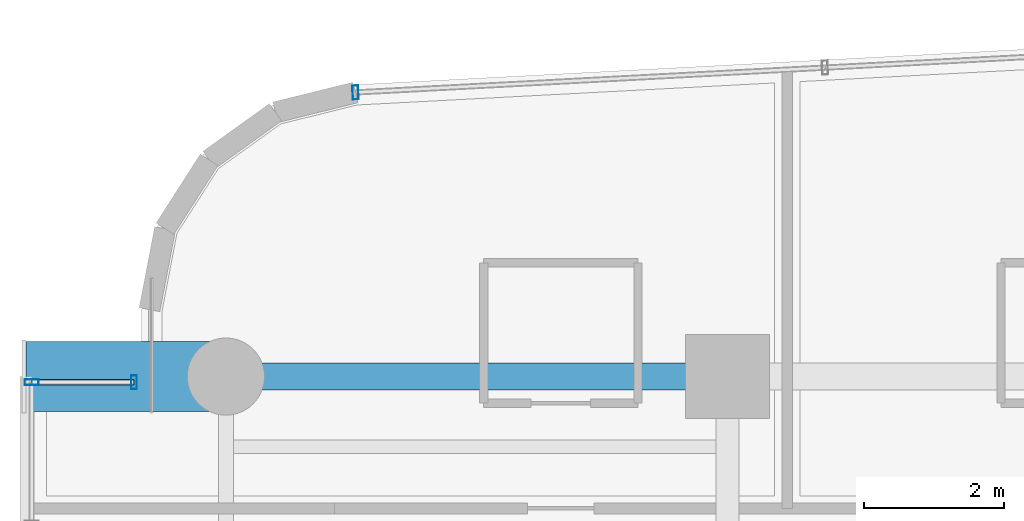
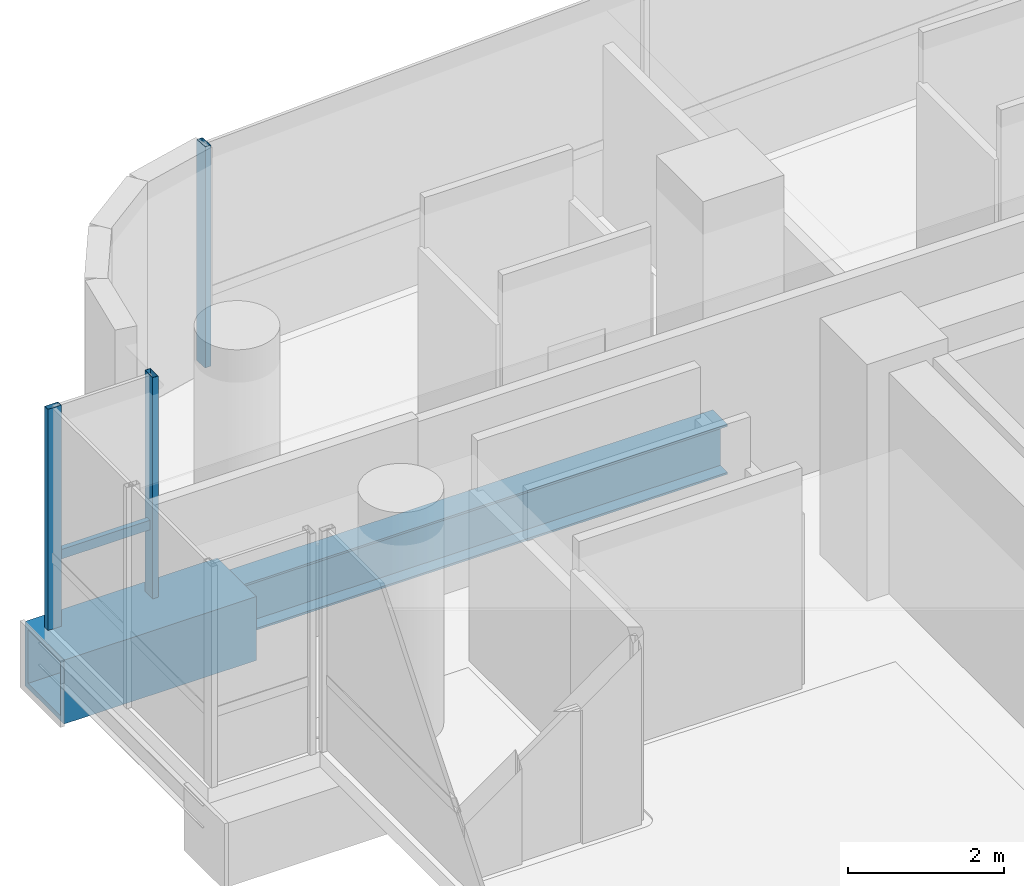
# One storey, part 18 of 33: 4 members, 2 beams, 3 elements without a shape of their own.
"""IFC4 building model written with IfcOpenShell, lengths in metres."""

from ifc_helpers import new_model, si_unit, direction, frame, origin, origin_2d, place, context, subcontext, project, spatial, hollow_rectangle, i_section, extrude, source, transform, mapped, material, material_profile, profile_set, type_object, element, aggregate, save


model = new_model("IFC4")

# Units and contexts
model_context = context("Model", 3, precision=1e-05, world=origin(), true_north=direction((0.0, 1.0)))
body_context = subcontext(model_context, "Body", "Model", "MODEL_VIEW")
ifc_project = project(units=[si_unit("LENGTHUNIT", "METRE"), si_unit("AREAUNIT", "SQUARE_METRE"), si_unit("VOLUMEUNIT", "CUBIC_METRE"), si_unit("PLANEANGLEUNIT", "RADIAN"), si_unit("MASSUNIT", "GRAM", prefix="KILO")], contexts=[model_context])

# Site, building, storey
site_placement = place(None, origin())
site = spatial("IfcSite", under=ifc_project, at=site_placement, CompositionType="ELEMENT")
building_placement = place(site_placement, origin())
building = spatial("IfcBuilding", under=site, at=building_placement, Name="Valdorenza Pilgrim Sanctuary Tower", CompositionType="ELEMENT")
storey_placement = place(building_placement, frame((0.0, 0.0, 157.5)))
storey = spatial("IfcBuildingStorey", under=building, at=storey_placement, Name="L40", CompositionType="ELEMENT", Elevation=157.5)

# Beams
ifc_material_1 = material(Name="Steel ASTM A992 Grade 50", Category="steel")
ifc_material_profile_1 = material_profile(ifc_material_1, i_section(OverallWidth=0.382080078125, OverallDepth=0.779052734375, WebThickness=0.01806640625, FlangeThickness=0.030029296875, at=origin_2d()), Name="W30X191")
ifc_profile_set_1 = profile_set([ifc_material_profile_1], Name="Steel ASTM A992 Grade 50")
beam_type_1 = type_object("IfcBeamType", Name="STR-BM-GRD-W30", PredefinedType="BEAM", material=ifc_profile_set_1)
shared_shape_1 = source(origin(), body_context, "Body", "SweptSolid", [
    extrude(i_section(OverallWidth=0.382080078125, OverallDepth=0.779052734375, WebThickness=0.01806640625, FlangeThickness=0.030029296875, at=origin_2d()), origin(), (0.0, 0.0, 1.0), 7.150146484375),
])
beam_1_placement = place(storey_placement, frame((-29.800048828125, 14.800048828125, -0.62939453125), z_axis=(1.0, 0.0, 0.0), x_axis=(0.0, 1.0, 0.0)))
element("IfcBeam", 1, at=beam_1_placement, inside=storey, type_object=beam_type_1, Name="L40 Floor Girder WA-XW-N2", PredefinedType="BEAM", context=body_context, shape_type="MappedRepresentation", body=[
    mapped(shared_shape_1, transform((0.0, 0.0, 0.0), x_axis=(1.0, 0.0, 0.0), y_axis=(0.0, 1.0, 0.0), z_axis=(0.0, 0.0, 1.0), scale=1.0)),
])
ifc_material_2 = material(Name="Steel ASTM A572 Grade 42", Category="steel")
ifc_material_profile_2 = material_profile(ifc_material_2, hollow_rectangle(XDim=1.0, YDim=1.0, WallThickness=0.080078125, at=origin_2d()), Name="BOX 1000x1000x80")
ifc_profile_set_2 = profile_set([ifc_material_profile_2], Name="Steel ASTM A572 Grade 42")
beam_type_2 = type_object("IfcBeamType", Name="STR-BM-PROW-CANT", PredefinedType="BEAM", material=ifc_profile_set_2)
shared_shape_2 = source(origin(), body_context, "Body", "SweptSolid", [
    extrude(hollow_rectangle(XDim=1.0, YDim=1.0, WallThickness=0.080078125, at=origin_2d()), origin(), (0.0, 0.0, 1.0), 2.849853515625),
])
beam_2_placement = place(storey_placement, frame((-29.800048828125, 14.800048828125, -0.739990234375), z_axis=(-1.0, 0.0, 0.0), x_axis=(0.0, -1.0, 0.0)))
element("IfcBeam", 2, at=beam_2_placement, inside=storey, type_object=beam_type_2, Name="L40 Glass Box Cantilever Beam BOX-WA-L40-CT-N", PredefinedType="BEAM", context=body_context, shape_type="MappedRepresentation", body=[
    mapped(shared_shape_2, transform((0.0, 0.0, 0.0), x_axis=(1.0, 0.0, 0.0), y_axis=(0.0, 1.0, 0.0), z_axis=(0.0, 0.0, 1.0), scale=1.0)),
])

# Curtain wall, member
ifc_material_3 = material(Name="Curtain-wall IGU glazing", Category="glass")
curtain_wall_type = type_object("IfcCurtainWallType", Name="CW-SYS-02", PredefinedType="NOTDEFINED", material=ifc_material_3)
curtain_wall_1_placement = place(storey_placement, origin())
curtain_wall_1 = element("IfcCurtainWall", 3, at=curtain_wall_1_placement, inside=storey, type_object=curtain_wall_type, Name="L40 Curtain Wall CW-L40-1-6", PredefinedType="NOTDEFINED")
ifc_material_4 = material(Name="Anodised aluminium AW-6060", Category="aluminium")
ifc_material_profile_3 = material_profile(ifc_material_4, hollow_rectangle(XDim=0.0849609375, YDim=0.199951171875, WallThickness=0.0048828125, at=origin_2d()), Name="ALU-M 200x85x5")
ifc_profile_set_3 = profile_set([ifc_material_profile_3], Name="Anodised aluminium AW-6060")
member_type_1 = type_object("IfcMemberType", Name="CW-MUL-02", PredefinedType="MULLION", material=ifc_profile_set_3)
shared_shape_3 = source(origin(), body_context, "Body", "SweptSolid", [
    extrude(hollow_rectangle(XDim=0.0849609375, YDim=0.199951171875, WallThickness=0.0048828125, at=origin_2d()), origin(), (0.0, 0.0, 1.0), 3.4599609375),
])
member_1_placement = place(storey_placement, frame((-27.952392578125, 18.850830078125, 0.0), z_axis=(0.0, 0.0, 1.0), x_axis=(0.998607524712, 0.052754256601, 0.0)))
member_1 = element("IfcMember", 4, at=member_1_placement, type_object=member_type_1, Name="CW-L40-1-6 Mullion 1", PredefinedType="MULLION", context=body_context, shape_type="MappedRepresentation", body=[
    mapped(shared_shape_3, transform((0.0, 0.0, 0.0), x_axis=(1.0, 0.0, 0.0), y_axis=(0.0, 1.0, 0.0), z_axis=(0.0, 0.0, 1.0), scale=1.0)),
])
aggregate(curtain_wall_1, [member_1])

curtain_wall_2_placement = place(storey_placement, origin())
curtain_wall_2 = element("IfcCurtainWall", 5, at=curtain_wall_2_placement, inside=storey, type_object=curtain_wall_type, Name="L40 Curtain Wall CW-L40-BOX-WA-L40-F", PredefinedType="NOTDEFINED")
member_2_placement = place(storey_placement, frame((-32.570068359375, 14.719970703125, 0.0), z_axis=(0.0, 0.0, 1.0), x_axis=(0.0, 1.0, 0.0)))
member_2 = element("IfcMember", 6, at=member_2_placement, type_object=member_type_1, Name="CW-L40-BOX-WA-L40-F Mullion 3", PredefinedType="MULLION", context=body_context, shape_type="MappedRepresentation", body=[
    mapped(shared_shape_3, transform((0.0, 0.0, 0.0), x_axis=(1.0, 0.0, 0.0), y_axis=(0.0, 1.0, 0.0), z_axis=(0.0, 0.0, 1.0), scale=1.0)),
])
aggregate(curtain_wall_2, [member_2])

# Curtain wall, members
curtain_wall_3_placement = place(storey_placement, origin())
curtain_wall_3 = element("IfcCurtainWall", 7, at=curtain_wall_3_placement, inside=storey, type_object=curtain_wall_type, Name="L40 Curtain Wall CW-L40-BOX-WA-L40-N", PredefinedType="NOTDEFINED")
member_3_placement = place(storey_placement, frame((-31.110107421875, 14.719970703125, 0.0), z_axis=(0.0, 0.0, 1.0), x_axis=(1.0, 0.0, 0.0)))
member_3 = element("IfcMember", 8, at=member_3_placement, type_object=member_type_1, Name="CW-L40-BOX-WA-L40-N Mullion 2", PredefinedType="MULLION", context=body_context, shape_type="MappedRepresentation", body=[
    mapped(shared_shape_3, transform((0.0, 0.0, 0.0), x_axis=(1.0, 0.0, 0.0), y_axis=(0.0, 1.0, 0.0), z_axis=(0.0, 0.0, 1.0), scale=1.0)),
])
ifc_material_profile_4 = material_profile(ifc_material_4, hollow_rectangle(XDim=0.074951171875, YDim=0.14990234375, WallThickness=0.00390625, at=origin_2d()), Name="ALU-T 150x75x4")
ifc_profile_set_4 = profile_set([ifc_material_profile_4], Name="Anodised aluminium AW-6060")
member_type_2 = type_object("IfcMemberType", Name="CW-TRN-02", PredefinedType="USERDEFINED", material=ifc_profile_set_4)
shared_shape_4 = source(origin(), body_context, "Body", "SweptSolid", [
    extrude(hollow_rectangle(XDim=0.074951171875, YDim=0.14990234375, WallThickness=0.00390625, at=origin_2d()), origin(), (0.0, 0.0, 1.0), 1.4599609375),
])
member_4_placement = place(storey_placement, frame((-32.570068359375, 14.719970703125, 1.1201171875), z_axis=(1.0, 0.0, 0.0), x_axis=(0.0, 1.0, 0.0)))
member_4 = element("IfcMember", 9, at=member_4_placement, type_object=member_type_2, Name="CW-L40-BOX-WA-L40-N Transom 1", ObjectType="TRANSOM", PredefinedType="USERDEFINED", context=body_context, shape_type="MappedRepresentation", body=[
    mapped(shared_shape_4, transform((0.0, 0.0, 0.0), x_axis=(1.0, 0.0, 0.0), y_axis=(0.0, 1.0, 0.0), z_axis=(0.0, 0.0, 1.0), scale=1.0)),
])
aggregate(curtain_wall_3, [member_3, member_4])

save(model, "model.ifc")
